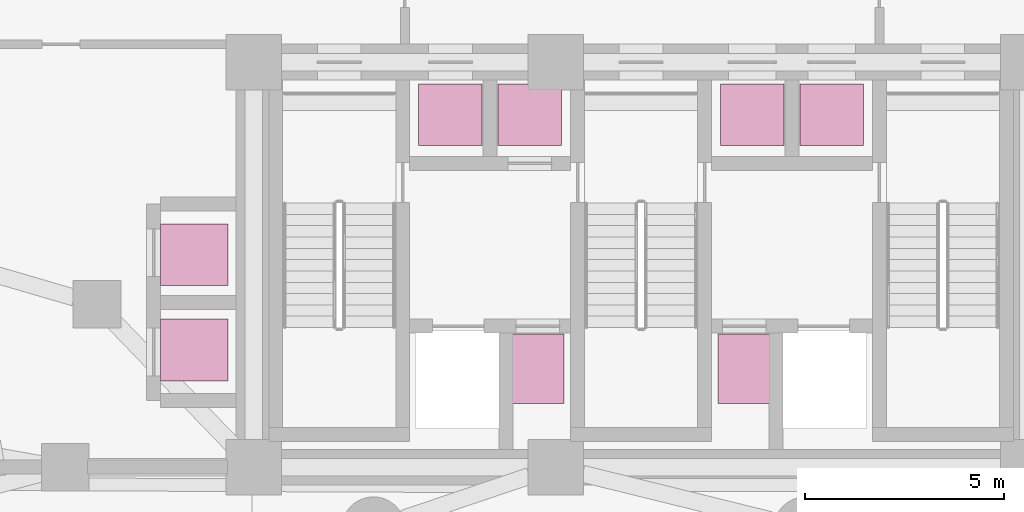
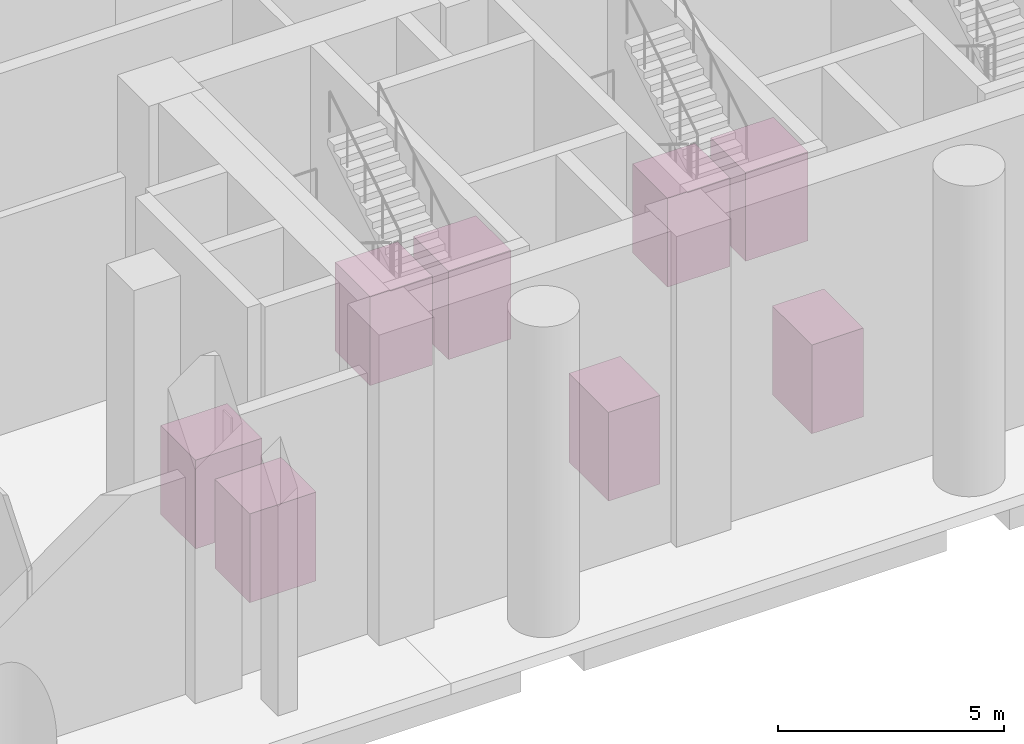
# One storey, part 12 of 12: 8 transport elements.
"""IFC4 building model written with IfcOpenShell, lengths in metres."""

from ifc_helpers import new_model, si_unit, direction, frame, origin, origin_2d, place, context, subcontext, project, spatial, rectangle, extrude, material, type_object, element, save


model = new_model("IFC4")

# Units and contexts
model_context = context("Model", 3, precision=1e-05, world=origin(), true_north=direction((0.0, 1.0)))
body_context = subcontext(model_context, "Body", "Model", "MODEL_VIEW")
ifc_project = project(units=[si_unit("LENGTHUNIT", "METRE"), si_unit("AREAUNIT", "SQUARE_METRE"), si_unit("VOLUMEUNIT", "CUBIC_METRE"), si_unit("PLANEANGLEUNIT", "RADIAN"), si_unit("MASSUNIT", "GRAM", prefix="KILO")], contexts=[model_context])

# Site, building, storey
site_placement = place(None, origin())
site = spatial("IfcSite", under=ifc_project, at=site_placement, CompositionType="ELEMENT")
building_placement = place(site_placement, origin())
building = spatial("IfcBuilding", under=site, at=building_placement, Name="Almagre Mirador Tower", CompositionType="ELEMENT")
storey_placement = place(building_placement, origin())
storey = spatial("IfcBuildingStorey", under=building, at=storey_placement, Name="L00", CompositionType="ELEMENT", Elevation=0.0)

# Transport elements
ifc_material_1 = material(Name="Brushed stainless steel cab", Category="steel")
transport_element_type_1 = type_object("IfcTransportElementType", Name="LFT-OBS-1800", PredefinedType="ELEVATOR", material=ifc_material_1)
for number, where, z_axis, x_axis, name in (
    (1, (26.050048828125, 7.5, 0.0), (0.0, 0.0, 1.0), (1.0, 0.0, 0.0), "Passenger elevator OL-1 car"),
    (2, (26.050048828125, 9.89990234375, 0.0), (0.0, 0.0, 1.0), (1.0, 0.0, 0.0), "Passenger elevator OL-2 car"),
):
    element("IfcTransportElement", number, at=place(storey_placement, frame(where, z_axis=z_axis, x_axis=x_axis)), inside=storey, type_object=transport_element_type_1, Name=name, PredefinedType="ELEVATOR", context=body_context, shape_type="SweptSolid", body=[
        extrude(rectangle(XDim=1.699951171875, YDim=1.550048828125, at=origin_2d()), origin(), (0.0, 0.0, 1.0), 2.39990234375),
    ])
ifc_material_2 = material(Name="Brushed stainless steel cab", Category="steel")
transport_element_type_2 = type_object("IfcTransportElementType", Name="LFT-PLH-1600", PredefinedType="ELEVATOR", material=ifc_material_2)
for number, where, z_axis, x_axis, name in (
    (3, (40.10009765625, 13.425048828125, 0.0), (0.0, 0.0, 1.0), (1.0, 0.0, 0.0), "Passenger elevator PL-H1 car"),
    (4, (42.10009765625, 13.425048828125, 0.0), (0.0, 0.0, 1.0), (1.0, 0.0, 0.0), "Passenger elevator PL-H2 car"),
):
    element("IfcTransportElement", number, at=place(storey_placement, frame(where, z_axis=z_axis, x_axis=x_axis)), inside=storey, type_object=transport_element_type_2, Name=name, PredefinedType="ELEVATOR", context=body_context, shape_type="SweptSolid", body=[
        extrude(rectangle(XDim=1.60009765625, YDim=1.550048828125, at=origin_2d()), origin(), (0.0, 0.0, 1.0), 2.39990234375),
    ])
ifc_material_3 = material(Name="Brushed stainless steel cab", Category="steel")
transport_element_type_3 = type_object("IfcTransportElementType", Name="LFT-PLL-1350", PredefinedType="ELEVATOR", material=ifc_material_3)
for number, where, z_axis, x_axis, name in (
    (5, (34.699951171875, 7.02490234375, 0.0), (0.0, 0.0, 1.0), (1.0, 0.0, 0.0), "Passenger elevator PL-L1 car"),
    (6, (39.89990234375, 7.02490234375, 0.0), (0.0, 0.0, 1.0), (1.0, 0.0, 0.0), "Passenger elevator PL-L2 car"),
):
    element("IfcTransportElement", number, at=place(storey_placement, frame(where, z_axis=z_axis, x_axis=x_axis)), inside=storey, type_object=transport_element_type_3, Name=name, PredefinedType="ELEVATOR", context=body_context, shape_type="SweptSolid", body=[
        extrude(rectangle(XDim=1.320068359375, YDim=1.75, at=origin_2d()), origin(), (0.0, 0.0, 1.0), 2.39990234375),
    ])
ifc_material_4 = material(Name="Brushed stainless steel cab", Category="steel")
transport_element_type_4 = type_object("IfcTransportElementType", Name="LFT-PLM-1600", PredefinedType="ELEVATOR", material=ifc_material_4)
for number, where, z_axis, x_axis, name in (
    (7, (32.5, 13.425048828125, 0.0), (0.0, 0.0, 1.0), (1.0, 0.0, 0.0), "Passenger elevator PL-M1 car"),
    (8, (34.5, 13.425048828125, 0.0), (0.0, 0.0, 1.0), (1.0, 0.0, 0.0), "Passenger elevator PL-M2 car"),
):
    element("IfcTransportElement", number, at=place(storey_placement, frame(where, z_axis=z_axis, x_axis=x_axis)), inside=storey, type_object=transport_element_type_4, Name=name, PredefinedType="ELEVATOR", context=body_context, shape_type="SweptSolid", body=[
        extrude(rectangle(XDim=1.60009765625, YDim=1.550048828125, at=origin_2d()), origin(), (0.0, 0.0, 1.0), 2.39990234375),
    ])

save(model, "model.ifc")
